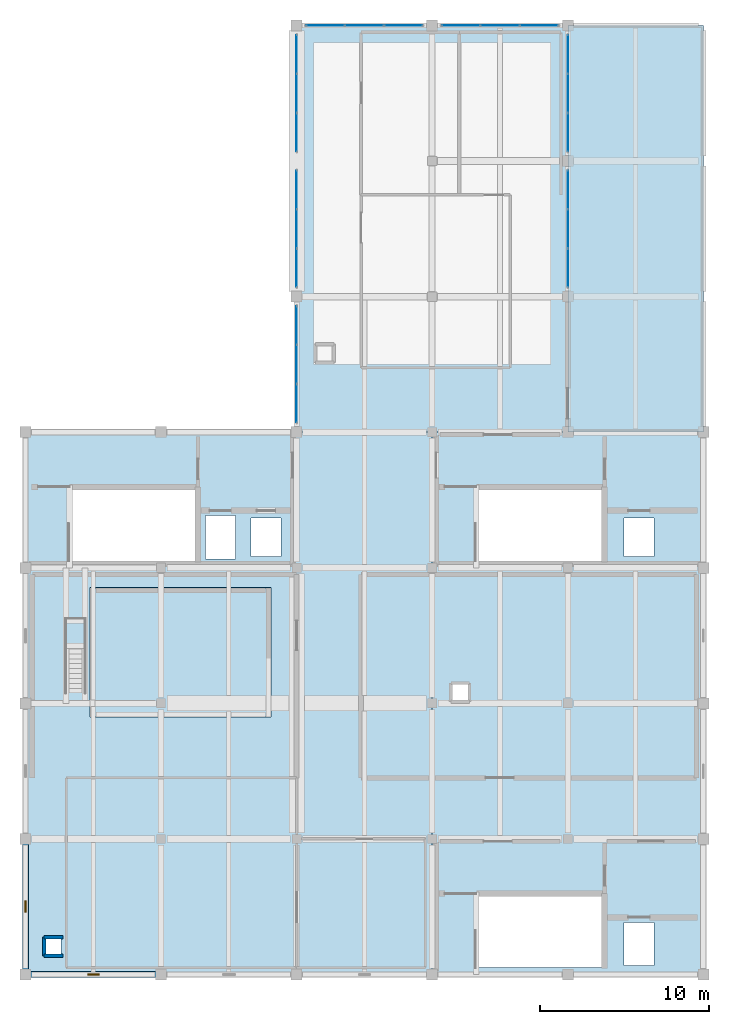
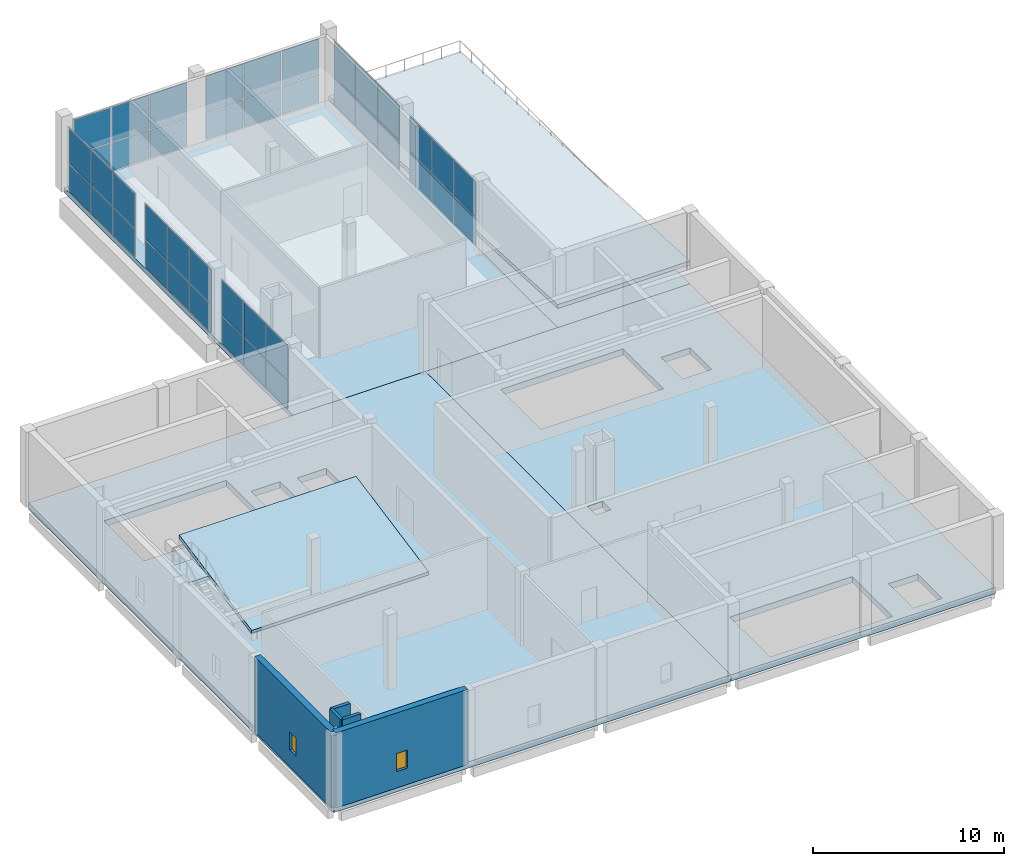
# One storey, part 4 of 8: 42 plates, 7 slabs, 5 walls, 2 windows, 2 openings, 9 elements without a shape of their own.
"""IFC4 building model written with IfcOpenShell, lengths in metres."""

from ifc_helpers import new_model, si_unit, direction, frame, frame_2d, origin, origin_2d, place, context, subcontext, project, spatial, polyline, rectangle, outline, extrude, material, layer, layer_set, type_object, element, fill, aggregate, save


model = new_model("IFC4")

# Units and contexts
model_context = context("Model", 3, precision=1e-05, world=origin(), true_north=direction((0.0, 1.0)))
body_context = subcontext(model_context, "Body", "Model", "MODEL_VIEW")
ifc_project = project(units=[si_unit("LENGTHUNIT", "METRE"), si_unit("AREAUNIT", "SQUARE_METRE"), si_unit("VOLUMEUNIT", "CUBIC_METRE"), si_unit("PLANEANGLEUNIT", "RADIAN"), si_unit("MASSUNIT", "GRAM", prefix="KILO")], contexts=[model_context])

# Site, building, storey
site_placement = place(None, origin())
site = spatial("IfcSite", under=ifc_project, at=site_placement, CompositionType="ELEMENT")
building_placement = place(site_placement, origin())
building = spatial("IfcBuilding", under=site, at=building_placement, Name="Qorikala Patio Media Centre", CompositionType="ELEMENT")
storey_placement = place(building_placement, frame((0.0, 0.0, 27.89990234375)))
storey = spatial("IfcBuildingStorey", under=building, at=storey_placement, Name="L06", CompositionType="ELEMENT", Elevation=27.89990234375)

# Curtain wall, plates
ifc_material_1 = material(Name="Bronze Anodised Aluminium and Low-E Glass", Category="aluminium")
ifc_layer_1 = layer(ifc_material_1, 0.159912109375)
ifc_layer_set_1 = layer_set([ifc_layer_1], Name="Bronze Anodised Aluminium and Low-E Glass")
curtain_wall_type = type_object("IfcCurtainWallType", Name="CW-PAV-696X419", PredefinedType="USERDEFINED", material=ifc_layer_set_1)
curtain_wall_1_placement = place(storey_placement, origin())
curtain_wall_1 = element("IfcCurtainWall", 1, at=curtain_wall_1_placement, inside=storey, type_object=curtain_wall_type, Name="L06 Courtyard Curtain Wall 100", ObjectType="COURTYARD CURTAIN WALL", PredefinedType="USERDEFINED")
ifc_material_2 = material(Name="Low-E Double Glazing Glass", Category="glass")
ifc_layer_2 = layer(ifc_material_2, 0.028076171875)
ifc_layer_set_2 = layer_set([ifc_layer_2], Name="Low-E Double Glazing Glass")
plate_type = type_object("IfcPlateType", Name="CWP-28", PredefinedType="CURTAIN_PANEL", material=ifc_layer_set_2)
plate_1_placement = place(storey_placement, frame((19.0, 36.695068359375, 0.06005859375), z_axis=(0.0, 0.0, 1.0), x_axis=(0.0, 1.0, 0.0)))
plate_1 = element("IfcPlate", 2, at=plate_1_placement, type_object=plate_type, Name="CWP696419 panel 1.1", PredefinedType="CURTAIN_PANEL", context=body_context, shape_type="SweptSolid", body=[
    extrude(rectangle(XDim=2.22998046875, YDim=0.028076171875, at=origin_2d()), origin(), (0.0, 0.0, 1.0), 1.79541015625),
])
plate_2_placement = place(storey_placement, frame((19.0, 36.695068359375, 1.91552734375), z_axis=(0.0, 0.0, 1.0), x_axis=(0.0, 1.0, 0.0)))
plate_2 = element("IfcPlate", 3, at=plate_2_placement, type_object=plate_type, Name="CWP696419 panel 1.2", PredefinedType="CURTAIN_PANEL", context=body_context, shape_type="SweptSolid", body=[
    extrude(rectangle(XDim=2.22998046875, YDim=0.028076171875, at=origin_2d()), origin(), (0.0, 0.0, 1.0), 2.214599609375),
])
plate_3_placement = place(storey_placement, frame((19.0, 39.0, 0.06005859375), z_axis=(0.0, 0.0, 1.0), x_axis=(0.0, 1.0, 0.0)))
plate_3 = element("IfcPlate", 4, at=plate_3_placement, type_object=plate_type, Name="CWP696419 panel 2.1", PredefinedType="CURTAIN_PANEL", context=body_context, shape_type="SweptSolid", body=[
    extrude(rectangle(XDim=2.260009765625, YDim=0.028076171875, at=origin_2d()), origin(), (0.0, 0.0, 1.0), 1.79541015625),
])
plate_4_placement = place(storey_placement, frame((19.0, 39.0, 1.91552734375), z_axis=(0.0, 0.0, 1.0), x_axis=(0.0, 1.0, 0.0)))
plate_4 = element("IfcPlate", 5, at=plate_4_placement, type_object=plate_type, Name="CWP696419 panel 2.2", PredefinedType="CURTAIN_PANEL", context=body_context, shape_type="SweptSolid", body=[
    extrude(rectangle(XDim=2.260009765625, YDim=0.028076171875, at=origin_2d()), origin(), (0.0, 0.0, 1.0), 2.214599609375),
])
plate_5_placement = place(storey_placement, frame((19.0, 41.304931640625, 0.06005859375), z_axis=(0.0, 0.0, 1.0), x_axis=(0.0, 1.0, 0.0)))
plate_5 = element("IfcPlate", 6, at=plate_5_placement, type_object=plate_type, Name="CWP696419 panel 3.1", PredefinedType="CURTAIN_PANEL", context=body_context, shape_type="SweptSolid", body=[
    extrude(rectangle(XDim=2.22998046875, YDim=0.028076171875, at=origin_2d()), origin(), (0.0, 0.0, 1.0), 1.79541015625),
])
plate_6_placement = place(storey_placement, frame((19.0, 41.304931640625, 1.91552734375), z_axis=(0.0, 0.0, 1.0), x_axis=(0.0, 1.0, 0.0)))
plate_6 = element("IfcPlate", 7, at=plate_6_placement, type_object=plate_type, Name="CWP696419 panel 3.2", PredefinedType="CURTAIN_PANEL", context=body_context, shape_type="SweptSolid", body=[
    extrude(rectangle(XDim=2.22998046875, YDim=0.028076171875, at=origin_2d()), origin(), (0.0, 0.0, 1.0), 2.214599609375),
])
aggregate(curtain_wall_1, [plate_1, plate_2, plate_3, plate_4, plate_5, plate_6])

curtain_wall_2_placement = place(storey_placement, origin())
curtain_wall_2 = element("IfcCurtainWall", 8, at=curtain_wall_2_placement, inside=storey, type_object=curtain_wall_type, Name="L06 Courtyard Curtain Wall 101", ObjectType="COURTYARD CURTAIN WALL", PredefinedType="USERDEFINED")
plate_7_placement = place(storey_placement, frame((19.0, 44.695068359375, 0.06005859375), z_axis=(0.0, 0.0, 1.0), x_axis=(0.0, 1.0, 0.0)))
plate_7 = element("IfcPlate", 9, at=plate_7_placement, type_object=plate_type, Name="CWP696419 panel 1.1", PredefinedType="CURTAIN_PANEL", context=body_context, shape_type="SweptSolid", body=[
    extrude(rectangle(XDim=2.22998046875, YDim=0.028076171875, at=origin_2d()), origin(), (0.0, 0.0, 1.0), 1.79541015625),
])
plate_8_placement = place(storey_placement, frame((19.0, 44.695068359375, 1.91552734375), z_axis=(0.0, 0.0, 1.0), x_axis=(0.0, 1.0, 0.0)))
plate_8 = element("IfcPlate", 10, at=plate_8_placement, type_object=plate_type, Name="CWP696419 panel 1.2", PredefinedType="CURTAIN_PANEL", context=body_context, shape_type="SweptSolid", body=[
    extrude(rectangle(XDim=2.22998046875, YDim=0.028076171875, at=origin_2d()), origin(), (0.0, 0.0, 1.0), 2.214599609375),
])
plate_9_placement = place(storey_placement, frame((19.0, 47.0, 0.06005859375), z_axis=(0.0, 0.0, 1.0), x_axis=(0.0, 1.0, 0.0)))
plate_9 = element("IfcPlate", 11, at=plate_9_placement, type_object=plate_type, Name="CWP696419 panel 2.1", PredefinedType="CURTAIN_PANEL", context=body_context, shape_type="SweptSolid", body=[
    extrude(rectangle(XDim=2.260009765625, YDim=0.028076171875, at=origin_2d()), origin(), (0.0, 0.0, 1.0), 1.79541015625),
])
plate_10_placement = place(storey_placement, frame((19.0, 47.0, 1.91552734375), z_axis=(0.0, 0.0, 1.0), x_axis=(0.0, 1.0, 0.0)))
plate_10 = element("IfcPlate", 12, at=plate_10_placement, type_object=plate_type, Name="CWP696419 panel 2.2", PredefinedType="CURTAIN_PANEL", context=body_context, shape_type="SweptSolid", body=[
    extrude(rectangle(XDim=2.260009765625, YDim=0.028076171875, at=origin_2d()), origin(), (0.0, 0.0, 1.0), 2.214599609375),
])
plate_11_placement = place(storey_placement, frame((19.0, 49.304931640625, 0.06005859375), z_axis=(0.0, 0.0, 1.0), x_axis=(0.0, 1.0, 0.0)))
plate_11 = element("IfcPlate", 13, at=plate_11_placement, type_object=plate_type, Name="CWP696419 panel 3.1", PredefinedType="CURTAIN_PANEL", context=body_context, shape_type="SweptSolid", body=[
    extrude(rectangle(XDim=2.22998046875, YDim=0.028076171875, at=origin_2d()), origin(), (0.0, 0.0, 1.0), 1.79541015625),
])
plate_12_placement = place(storey_placement, frame((19.0, 49.304931640625, 1.91552734375), z_axis=(0.0, 0.0, 1.0), x_axis=(0.0, 1.0, 0.0)))
plate_12 = element("IfcPlate", 14, at=plate_12_placement, type_object=plate_type, Name="CWP696419 panel 3.2", PredefinedType="CURTAIN_PANEL", context=body_context, shape_type="SweptSolid", body=[
    extrude(rectangle(XDim=2.22998046875, YDim=0.028076171875, at=origin_2d()), origin(), (0.0, 0.0, 1.0), 2.214599609375),
])
aggregate(curtain_wall_2, [plate_7, plate_8, plate_9, plate_10, plate_11, plate_12])

curtain_wall_3_placement = place(storey_placement, origin())
curtain_wall_3 = element("IfcCurtainWall", 15, at=curtain_wall_3_placement, inside=storey, type_object=curtain_wall_type, Name="L06 Courtyard Curtain Wall 102", ObjectType="COURTYARD CURTAIN WALL", PredefinedType="USERDEFINED")
plate_13_placement = place(storey_placement, frame((19.0, 52.695068359375, 0.06005859375), z_axis=(0.0, 0.0, 1.0), x_axis=(0.0, 1.0, 0.0)))
plate_13 = element("IfcPlate", 16, at=plate_13_placement, type_object=plate_type, Name="CWP696419 panel 1.1", PredefinedType="CURTAIN_PANEL", context=body_context, shape_type="SweptSolid", body=[
    extrude(rectangle(XDim=2.22998046875, YDim=0.028076171875, at=origin_2d()), origin(), (0.0, 0.0, 1.0), 1.79541015625),
])
plate_14_placement = place(storey_placement, frame((19.0, 52.695068359375, 1.91552734375), z_axis=(0.0, 0.0, 1.0), x_axis=(0.0, 1.0, 0.0)))
plate_14 = element("IfcPlate", 17, at=plate_14_placement, type_object=plate_type, Name="CWP696419 panel 1.2", PredefinedType="CURTAIN_PANEL", context=body_context, shape_type="SweptSolid", body=[
    extrude(rectangle(XDim=2.22998046875, YDim=0.028076171875, at=origin_2d()), origin(), (0.0, 0.0, 1.0), 2.214599609375),
])
plate_15_placement = place(storey_placement, frame((19.0, 55.0, 0.06005859375), z_axis=(0.0, 0.0, 1.0), x_axis=(0.0, 1.0, 0.0)))
plate_15 = element("IfcPlate", 18, at=plate_15_placement, type_object=plate_type, Name="CWP696419 panel 2.1", PredefinedType="CURTAIN_PANEL", context=body_context, shape_type="SweptSolid", body=[
    extrude(rectangle(XDim=2.260009765625, YDim=0.028076171875, at=origin_2d()), origin(), (0.0, 0.0, 1.0), 1.79541015625),
])
plate_16_placement = place(storey_placement, frame((19.0, 55.0, 1.91552734375), z_axis=(0.0, 0.0, 1.0), x_axis=(0.0, 1.0, 0.0)))
plate_16 = element("IfcPlate", 19, at=plate_16_placement, type_object=plate_type, Name="CWP696419 panel 2.2", PredefinedType="CURTAIN_PANEL", context=body_context, shape_type="SweptSolid", body=[
    extrude(rectangle(XDim=2.260009765625, YDim=0.028076171875, at=origin_2d()), origin(), (0.0, 0.0, 1.0), 2.214599609375),
])
plate_17_placement = place(storey_placement, frame((19.0, 57.304931640625, 0.06005859375), z_axis=(0.0, 0.0, 1.0), x_axis=(0.0, 1.0, 0.0)))
plate_17 = element("IfcPlate", 20, at=plate_17_placement, type_object=plate_type, Name="CWP696419 panel 3.1", PredefinedType="CURTAIN_PANEL", context=body_context, shape_type="SweptSolid", body=[
    extrude(rectangle(XDim=2.22998046875, YDim=0.028076171875, at=origin_2d()), origin(), (0.0, 0.0, 1.0), 1.79541015625),
])
plate_18_placement = place(storey_placement, frame((19.0, 57.304931640625, 1.91552734375), z_axis=(0.0, 0.0, 1.0), x_axis=(0.0, 1.0, 0.0)))
plate_18 = element("IfcPlate", 21, at=plate_18_placement, type_object=plate_type, Name="CWP696419 panel 3.2", PredefinedType="CURTAIN_PANEL", context=body_context, shape_type="SweptSolid", body=[
    extrude(rectangle(XDim=2.22998046875, YDim=0.028076171875, at=origin_2d()), origin(), (0.0, 0.0, 1.0), 2.214599609375),
])
aggregate(curtain_wall_3, [plate_13, plate_14, plate_15, plate_16, plate_17, plate_18])

curtain_wall_4_placement = place(storey_placement, origin())
curtain_wall_4 = element("IfcCurtainWall", 22, at=curtain_wall_4_placement, inside=storey, type_object=curtain_wall_type, Name="L06 Courtyard Curtain Wall 103", ObjectType="COURTYARD CURTAIN WALL", PredefinedType="USERDEFINED")
plate_19_placement = place(storey_placement, frame((20.695068359375, 59.0, 0.06005859375), z_axis=(0.0, 0.0, 1.0), x_axis=(1.0, 0.0, 0.0)))
plate_19 = element("IfcPlate", 23, at=plate_19_placement, type_object=plate_type, Name="CWP696419 panel 1.1", PredefinedType="CURTAIN_PANEL", context=body_context, shape_type="SweptSolid", body=[
    extrude(rectangle(XDim=2.22998046875, YDim=0.028076171875, at=origin_2d()), origin(), (0.0, 0.0, 1.0), 1.79541015625),
])
plate_20_placement = place(storey_placement, frame((20.695068359375, 59.0, 1.91552734375), z_axis=(0.0, 0.0, 1.0), x_axis=(1.0, 0.0, 0.0)))
plate_20 = element("IfcPlate", 24, at=plate_20_placement, type_object=plate_type, Name="CWP696419 panel 1.2", PredefinedType="CURTAIN_PANEL", context=body_context, shape_type="SweptSolid", body=[
    extrude(rectangle(XDim=2.22998046875, YDim=0.028076171875, at=origin_2d()), origin(), (0.0, 0.0, 1.0), 2.214599609375),
])
plate_21_placement = place(storey_placement, frame((23.0, 59.0, 0.06005859375), z_axis=(0.0, 0.0, 1.0), x_axis=(1.0, 0.0, 0.0)))
plate_21 = element("IfcPlate", 25, at=plate_21_placement, type_object=plate_type, Name="CWP696419 panel 2.1", PredefinedType="CURTAIN_PANEL", context=body_context, shape_type="SweptSolid", body=[
    extrude(rectangle(XDim=2.260009765625, YDim=0.028076171875, at=origin_2d()), origin(), (0.0, 0.0, 1.0), 1.79541015625),
])
plate_22_placement = place(storey_placement, frame((23.0, 59.0, 1.91552734375), z_axis=(0.0, 0.0, 1.0), x_axis=(1.0, 0.0, 0.0)))
plate_22 = element("IfcPlate", 26, at=plate_22_placement, type_object=plate_type, Name="CWP696419 panel 2.2", PredefinedType="CURTAIN_PANEL", context=body_context, shape_type="SweptSolid", body=[
    extrude(rectangle(XDim=2.260009765625, YDim=0.028076171875, at=origin_2d()), origin(), (0.0, 0.0, 1.0), 2.214599609375),
])
plate_23_placement = place(storey_placement, frame((25.304931640625, 59.0, 0.06005859375), z_axis=(0.0, 0.0, 1.0), x_axis=(1.0, 0.0, 0.0)))
plate_23 = element("IfcPlate", 27, at=plate_23_placement, type_object=plate_type, Name="CWP696419 panel 3.1", PredefinedType="CURTAIN_PANEL", context=body_context, shape_type="SweptSolid", body=[
    extrude(rectangle(XDim=2.22998046875, YDim=0.028076171875, at=origin_2d()), origin(), (0.0, 0.0, 1.0), 1.79541015625),
])
plate_24_placement = place(storey_placement, frame((25.304931640625, 59.0, 1.91552734375), z_axis=(0.0, 0.0, 1.0), x_axis=(1.0, 0.0, 0.0)))
plate_24 = element("IfcPlate", 28, at=plate_24_placement, type_object=plate_type, Name="CWP696419 panel 3.2", PredefinedType="CURTAIN_PANEL", context=body_context, shape_type="SweptSolid", body=[
    extrude(rectangle(XDim=2.22998046875, YDim=0.028076171875, at=origin_2d()), origin(), (0.0, 0.0, 1.0), 2.214599609375),
])
aggregate(curtain_wall_4, [plate_19, plate_20, plate_21, plate_22, plate_23, plate_24])

curtain_wall_5_placement = place(storey_placement, origin())
curtain_wall_5 = element("IfcCurtainWall", 29, at=curtain_wall_5_placement, inside=storey, type_object=curtain_wall_type, Name="L06 Courtyard Curtain Wall 104", ObjectType="COURTYARD CURTAIN WALL", PredefinedType="USERDEFINED")
plate_25_placement = place(storey_placement, frame((28.695068359375, 59.0, 0.06005859375), z_axis=(0.0, 0.0, 1.0), x_axis=(1.0, 0.0, 0.0)))
plate_25 = element("IfcPlate", 30, at=plate_25_placement, type_object=plate_type, Name="CWP696419 panel 1.1", PredefinedType="CURTAIN_PANEL", context=body_context, shape_type="SweptSolid", body=[
    extrude(rectangle(XDim=2.22998046875, YDim=0.028076171875, at=origin_2d()), origin(), (0.0, 0.0, 1.0), 1.79541015625),
])
plate_26_placement = place(storey_placement, frame((28.695068359375, 59.0, 1.91552734375), z_axis=(0.0, 0.0, 1.0), x_axis=(1.0, 0.0, 0.0)))
plate_26 = element("IfcPlate", 31, at=plate_26_placement, type_object=plate_type, Name="CWP696419 panel 1.2", PredefinedType="CURTAIN_PANEL", context=body_context, shape_type="SweptSolid", body=[
    extrude(rectangle(XDim=2.22998046875, YDim=0.028076171875, at=origin_2d()), origin(), (0.0, 0.0, 1.0), 2.214599609375),
])
plate_27_placement = place(storey_placement, frame((31.0, 59.0, 0.06005859375), z_axis=(0.0, 0.0, 1.0), x_axis=(1.0, 0.0, 0.0)))
plate_27 = element("IfcPlate", 32, at=plate_27_placement, type_object=plate_type, Name="CWP696419 panel 2.1", PredefinedType="CURTAIN_PANEL", context=body_context, shape_type="SweptSolid", body=[
    extrude(rectangle(XDim=2.260009765625, YDim=0.028076171875, at=origin_2d()), origin(), (0.0, 0.0, 1.0), 1.79541015625),
])
plate_28_placement = place(storey_placement, frame((31.0, 59.0, 1.91552734375), z_axis=(0.0, 0.0, 1.0), x_axis=(1.0, 0.0, 0.0)))
plate_28 = element("IfcPlate", 33, at=plate_28_placement, type_object=plate_type, Name="CWP696419 panel 2.2", PredefinedType="CURTAIN_PANEL", context=body_context, shape_type="SweptSolid", body=[
    extrude(rectangle(XDim=2.260009765625, YDim=0.028076171875, at=origin_2d()), origin(), (0.0, 0.0, 1.0), 2.214599609375),
])
plate_29_placement = place(storey_placement, frame((33.304931640625, 59.0, 0.06005859375), z_axis=(0.0, 0.0, 1.0), x_axis=(1.0, 0.0, 0.0)))
plate_29 = element("IfcPlate", 34, at=plate_29_placement, type_object=plate_type, Name="CWP696419 panel 3.1", PredefinedType="CURTAIN_PANEL", context=body_context, shape_type="SweptSolid", body=[
    extrude(rectangle(XDim=2.22998046875, YDim=0.028076171875, at=origin_2d()), origin(), (0.0, 0.0, 1.0), 1.79541015625),
])
plate_30_placement = place(storey_placement, frame((33.304931640625, 59.0, 1.91552734375), z_axis=(0.0, 0.0, 1.0), x_axis=(1.0, 0.0, 0.0)))
plate_30 = element("IfcPlate", 35, at=plate_30_placement, type_object=plate_type, Name="CWP696419 panel 3.2", PredefinedType="CURTAIN_PANEL", context=body_context, shape_type="SweptSolid", body=[
    extrude(rectangle(XDim=2.22998046875, YDim=0.028076171875, at=origin_2d()), origin(), (0.0, 0.0, 1.0), 2.214599609375),
])
aggregate(curtain_wall_5, [plate_25, plate_26, plate_27, plate_28, plate_29, plate_30])

curtain_wall_6_placement = place(storey_placement, origin())
curtain_wall_6 = element("IfcCurtainWall", 36, at=curtain_wall_6_placement, inside=storey, type_object=curtain_wall_type, Name="L06 Courtyard Curtain Wall 105", ObjectType="COURTYARD CURTAIN WALL", PredefinedType="USERDEFINED")
plate_31_placement = place(storey_placement, frame((35.0, 57.304931640625, 0.06005859375), z_axis=(0.0, 0.0, 1.0), x_axis=(0.0, -1.0, 0.0)))
plate_31 = element("IfcPlate", 37, at=plate_31_placement, type_object=plate_type, Name="CWP696419 panel 1.1", PredefinedType="CURTAIN_PANEL", context=body_context, shape_type="SweptSolid", body=[
    extrude(rectangle(XDim=2.22998046875, YDim=0.028076171875, at=origin_2d()), origin(), (0.0, 0.0, 1.0), 1.79541015625),
])
plate_32_placement = place(storey_placement, frame((35.0, 57.304931640625, 1.91552734375), z_axis=(0.0, 0.0, 1.0), x_axis=(0.0, -1.0, 0.0)))
plate_32 = element("IfcPlate", 38, at=plate_32_placement, type_object=plate_type, Name="CWP696419 panel 1.2", PredefinedType="CURTAIN_PANEL", context=body_context, shape_type="SweptSolid", body=[
    extrude(rectangle(XDim=2.22998046875, YDim=0.028076171875, at=origin_2d()), origin(), (0.0, 0.0, 1.0), 2.214599609375),
])
plate_33_placement = place(storey_placement, frame((35.0, 55.0, 0.06005859375), z_axis=(0.0, 0.0, 1.0), x_axis=(0.0, -1.0, 0.0)))
plate_33 = element("IfcPlate", 39, at=plate_33_placement, type_object=plate_type, Name="CWP696419 panel 2.1", PredefinedType="CURTAIN_PANEL", context=body_context, shape_type="SweptSolid", body=[
    extrude(rectangle(XDim=2.260009765625, YDim=0.028076171875, at=origin_2d()), origin(), (0.0, 0.0, 1.0), 1.79541015625),
])
plate_34_placement = place(storey_placement, frame((35.0, 55.0, 1.91552734375), z_axis=(0.0, 0.0, 1.0), x_axis=(0.0, -1.0, 0.0)))
plate_34 = element("IfcPlate", 40, at=plate_34_placement, type_object=plate_type, Name="CWP696419 panel 2.2", PredefinedType="CURTAIN_PANEL", context=body_context, shape_type="SweptSolid", body=[
    extrude(rectangle(XDim=2.260009765625, YDim=0.028076171875, at=origin_2d()), origin(), (0.0, 0.0, 1.0), 2.214599609375),
])
plate_35_placement = place(storey_placement, frame((35.0, 52.695068359375, 0.06005859375), z_axis=(0.0, 0.0, 1.0), x_axis=(0.0, -1.0, 0.0)))
plate_35 = element("IfcPlate", 41, at=plate_35_placement, type_object=plate_type, Name="CWP696419 panel 3.1", PredefinedType="CURTAIN_PANEL", context=body_context, shape_type="SweptSolid", body=[
    extrude(rectangle(XDim=2.22998046875, YDim=0.028076171875, at=origin_2d()), origin(), (0.0, 0.0, 1.0), 1.79541015625),
])
plate_36_placement = place(storey_placement, frame((35.0, 52.695068359375, 1.91552734375), z_axis=(0.0, 0.0, 1.0), x_axis=(0.0, -1.0, 0.0)))
plate_36 = element("IfcPlate", 42, at=plate_36_placement, type_object=plate_type, Name="CWP696419 panel 3.2", PredefinedType="CURTAIN_PANEL", context=body_context, shape_type="SweptSolid", body=[
    extrude(rectangle(XDim=2.22998046875, YDim=0.028076171875, at=origin_2d()), origin(), (0.0, 0.0, 1.0), 2.214599609375),
])
aggregate(curtain_wall_6, [plate_31, plate_32, plate_33, plate_34, plate_35, plate_36])

curtain_wall_7_placement = place(storey_placement, origin())
curtain_wall_7 = element("IfcCurtainWall", 43, at=curtain_wall_7_placement, inside=storey, type_object=curtain_wall_type, Name="L06 Courtyard Curtain Wall 106", ObjectType="COURTYARD CURTAIN WALL", PredefinedType="USERDEFINED")
plate_37_placement = place(storey_placement, frame((35.0, 49.304931640625, 0.06005859375), z_axis=(0.0, 0.0, 1.0), x_axis=(0.0, -1.0, 0.0)))
plate_37 = element("IfcPlate", 44, at=plate_37_placement, type_object=plate_type, Name="CWP696419 panel 1.1", PredefinedType="CURTAIN_PANEL", context=body_context, shape_type="SweptSolid", body=[
    extrude(rectangle(XDim=2.22998046875, YDim=0.028076171875, at=origin_2d()), origin(), (0.0, 0.0, 1.0), 1.79541015625),
])
plate_38_placement = place(storey_placement, frame((35.0, 49.304931640625, 1.91552734375), z_axis=(0.0, 0.0, 1.0), x_axis=(0.0, -1.0, 0.0)))
plate_38 = element("IfcPlate", 45, at=plate_38_placement, type_object=plate_type, Name="CWP696419 panel 1.2", PredefinedType="CURTAIN_PANEL", context=body_context, shape_type="SweptSolid", body=[
    extrude(rectangle(XDim=2.22998046875, YDim=0.028076171875, at=origin_2d()), origin(), (0.0, 0.0, 1.0), 2.214599609375),
])
plate_39_placement = place(storey_placement, frame((35.0, 47.0, 0.06005859375), z_axis=(0.0, 0.0, 1.0), x_axis=(0.0, -1.0, 0.0)))
plate_39 = element("IfcPlate", 46, at=plate_39_placement, type_object=plate_type, Name="CWP696419 panel 2.1", PredefinedType="CURTAIN_PANEL", context=body_context, shape_type="SweptSolid", body=[
    extrude(rectangle(XDim=2.260009765625, YDim=0.028076171875, at=origin_2d()), origin(), (0.0, 0.0, 1.0), 1.79541015625),
])
plate_40_placement = place(storey_placement, frame((35.0, 47.0, 1.91552734375), z_axis=(0.0, 0.0, 1.0), x_axis=(0.0, -1.0, 0.0)))
plate_40 = element("IfcPlate", 47, at=plate_40_placement, type_object=plate_type, Name="CWP696419 panel 2.2", PredefinedType="CURTAIN_PANEL", context=body_context, shape_type="SweptSolid", body=[
    extrude(rectangle(XDim=2.260009765625, YDim=0.028076171875, at=origin_2d()), origin(), (0.0, 0.0, 1.0), 2.214599609375),
])
plate_41_placement = place(storey_placement, frame((35.0, 44.695068359375, 0.06005859375), z_axis=(0.0, 0.0, 1.0), x_axis=(0.0, -1.0, 0.0)))
plate_41 = element("IfcPlate", 48, at=plate_41_placement, type_object=plate_type, Name="CWP696419 panel 3.1", PredefinedType="CURTAIN_PANEL", context=body_context, shape_type="SweptSolid", body=[
    extrude(rectangle(XDim=2.22998046875, YDim=0.028076171875, at=origin_2d()), origin(), (0.0, 0.0, 1.0), 1.79541015625),
])
plate_42_placement = place(storey_placement, frame((35.0, 44.695068359375, 1.91552734375), z_axis=(0.0, 0.0, 1.0), x_axis=(0.0, -1.0, 0.0)))
plate_42 = element("IfcPlate", 49, at=plate_42_placement, type_object=plate_type, Name="CWP696419 panel 3.2", PredefinedType="CURTAIN_PANEL", context=body_context, shape_type="SweptSolid", body=[
    extrude(rectangle(XDim=2.22998046875, YDim=0.028076171875, at=origin_2d()), origin(), (0.0, 0.0, 1.0), 2.214599609375),
])
aggregate(curtain_wall_7, [plate_37, plate_38, plate_39, plate_40, plate_41, plate_42])

# Slab
ifc_material_3 = material(Name="Concrete C35/45", Category="concrete")
ifc_layer_3 = layer(ifc_material_3, 0.300048828125)
ifc_layer_set_3 = layer_set([ifc_layer_3], Name="Concrete C35/45")
slab_type_1 = type_object("IfcSlabType", Name="SL-FLOOR-300", PredefinedType="FLOOR", material=ifc_layer_set_3)
slab_1_placement = place(storey_placement, frame((0.0, 0.0, -0.2998046875)))
element("IfcSlab", 50, at=slab_1_placement, inside=storey, type_object=slab_type_1, Name="L06 V6_LOUNGE Slab 3.1", PredefinedType="FLOOR", context=body_context, shape_type="SweptSolid", body=[
    extrude(outline(polyline([(35.0, 59.0), (35.0, 35.0), (27.0, 35.0), (19.0, 35.0), (19.0, 59.0), (35.0, 59.0)]), holes=[polyline([(21.10009765625, 39.199951171875), (21.10009765625, 40.10009765625), (20.199951171875, 40.10009765625), (20.199951171875, 39.199951171875), (21.10009765625, 39.199951171875)])]), origin(), (0.0, 0.0, 1.0), 0.2998046875),
])

# Stair, slab
stair_type = type_object("IfcStairType", Name="ST-VOM-STR", PredefinedType="STRAIGHT_RUN_STAIR", material=ifc_material_3)
stair_placement = place(storey_placement, origin())
stair = element("IfcStair", 51, at=stair_placement, inside=storey, type_object=stair_type, Name="Vomitory Stair VS-08", PredefinedType="STRAIGHT_RUN_STAIR")
ifc_material_4 = material(Name="Precast concrete C40/50", Category="concrete")
ifc_layer_4 = layer(ifc_material_4, 0.199951171875)
ifc_layer_set_4 = layer_set([ifc_layer_4], Name="Precast concrete C40/50")
slab_type_2 = type_object("IfcSlabType", Name="SL-LAND-200", PredefinedType="LANDING", material=ifc_layer_set_4)
slab_2_placement = place(storey_placement, frame((0.0, 0.0, 1.60009765625)))
slab_2 = element("IfcSlab", 52, at=slab_2_placement, type_object=slab_type_2, Name="VS-08 landing 1", PredefinedType="LANDING", context=body_context, shape_type="SweptSolid", body=[
    extrude(outline(polyline([(5.324951171875, 22.25), (6.574951171875, 22.25), (6.574951171875, 24.050048828125), (5.324951171875, 24.050048828125), (5.324951171875, 22.25)])), origin(), (0.0, 0.0, 1.0), 0.199951171875),
])
aggregate(stair, [slab_2])

# Roof, slab
ifc_material_5 = material(Name="Terracotta Clay Tile and Steel S355", Category="masonry")
roof_type = type_object("IfcRoofType", Name="ROOF-GABLE", PredefinedType="GABLE_ROOF", material=ifc_material_5)
roof_placement = place(storey_placement, origin())
roof = element("IfcRoof", 53, at=roof_placement, inside=storey, type_object=roof_type, Name="L06 Colonial Clay-Tile Loggia Roof RF-LOG-V6E", PredefinedType="GABLE_ROOF")
ifc_layer_5 = layer(ifc_material_3, 0.260009765625)
ifc_layer_set_5 = layer_set([ifc_layer_5], Name="Concrete C35/45")
slab_type_3 = type_object("IfcSlabType", Name="SL-ROOF-180", PredefinedType="ROOF", material=ifc_layer_set_5)
slab_3_placement = place(storey_placement, frame((35.0, 59.0, 0.260009765625), z_axis=(0.0, 0.049945724537, 0.998751933465), x_axis=(1.0, 0.0, 0.0)))
slab_3 = element("IfcSlab", 54, at=slab_3_placement, type_object=slab_type_3, Name="L06 Colonial Loggia Roof Slab RF-LOG-V6E", PredefinedType="ROOF", context=body_context, shape_type="SweptSolid", body=[
    extrude(outline(polyline([(0.0, 0.0), (8.0, 0.0), (8.0, -24.02999102763351), (0.0, -24.02999102763351), (0.0, 0.0)])), origin(), (0.0, 0.0, -1.0), 0.239990234375),
])
aggregate(roof, [slab_3])

# Slabs
ifc_material_6 = material(Name="Comanche Stone Paving and Concrete C35/45", Category="masonry")
ifc_layer_6 = layer(ifc_material_6, 0.25)
ifc_layer_set_6 = layer_set([ifc_layer_6], Name="Comanche Stone Paving and Concrete C35/45")
slab_type_4 = type_object("IfcSlabType", Name="SL-TERR-260", PredefinedType="FLOOR", material=ifc_layer_set_6)
slab_4_placement = place(storey_placement, frame((0.0, 0.0, -0.25)))
element("IfcSlab", 55, at=slab_4_placement, inside=storey, type_object=slab_type_4, Name="L06 Festival Viewing Terrace Slab", PredefinedType="FLOOR", context=body_context, shape_type="SweptSolid", body=[
    extrude(outline(polyline([(35.0, 35.0), (43.0, 35.0), (43.0, 59.0), (35.0, 59.0), (35.0, 35.0)])), origin(), (0.0, 0.0, 1.0), 0.25),
])
ifc_layer_7 = layer(ifc_material_3, 0.239990234375)
ifc_layer_set_7 = layer_set([ifc_layer_7], Name="Concrete C35/45")
slab_type_5 = type_object("IfcSlabType", Name="SL-TIER-240", PredefinedType="USERDEFINED", material=ifc_layer_set_7)
slab_5_placement = place(storey_placement, frame((6.800048828125, 18.199951171875, 0.7001953125), z_axis=(0.0, -0.193630637125, 0.981074500926), x_axis=(1.0, 0.0, 0.0)))
element("IfcSlab", 56, at=slab_5_placement, inside=storey, type_object=slab_type_5, Name="Premiere Cinema Screen 7 Balcony Seating Tier", ObjectType="SEATING TIER", PredefinedType="USERDEFINED", context=body_context, shape_type="SweptSolid", body=[
    extrude(outline(polyline([(0.0, 0.0), (10.699951171875, 0.0), (10.699951171875, 7.746707970779378), (0.0, 7.746707970779378), (0.0, 0.0)])), origin(), (0.0, 0.0, -1.0), 0.239990234375),
])
ifc_layer_8 = layer(ifc_material_3, 0.39990234375)
ifc_layer_set_8 = layer_set([ifc_layer_8], Name="Concrete C35/45")
slab_type_6 = type_object("IfcSlabType", Name="SL-TRANS-400", PredefinedType="FLOOR", material=ifc_layer_set_8)
slab_6_placement = place(storey_placement, frame((0.0, 0.0, -0.39990234375)))
element("IfcSlab", 57, at=slab_6_placement, inside=storey, type_object=slab_type_6, Name="L06 V1A Transfer Slab 1.1", PredefinedType="FLOOR", context=body_context, shape_type="SweptSolid", body=[
    extrude(outline(polyline([(3.0, 35.0), (27.0, 35.0), (27.0, 3.0), (3.0, 3.0), (3.0, 35.0)]), holes=[polyline([(5.10009765625, 5.10009765625), (4.199951171875, 5.10009765625), (4.199951171875, 4.199951171875), (5.10009765625, 4.199951171875), (5.10009765625, 5.10009765625)]), polyline([(15.3798828125, 27.52001953125), (15.3798828125, 30.080078125), (13.6201171875, 30.080078125), (13.6201171875, 27.52001953125), (15.3798828125, 27.52001953125)]), polyline([(18.080078125, 29.929931640625), (16.320068359375, 29.929931640625), (16.320068359375, 27.669921875), (18.080078125, 27.669921875), (18.080078125, 29.929931640625)]), polyline([(13.0, 31.60009765625), (5.60009765625, 31.60009765625), (5.60009765625, 27.39990234375), (13.0, 27.39990234375), (13.0, 31.60009765625)])]), origin(), (0.0, 0.0, 1.0), 0.39990234375),
])
slab_7_placement = place(storey_placement, frame((0.0, 0.0, -0.39990234375)))
element("IfcSlab", 58, at=slab_7_placement, inside=storey, type_object=slab_type_6, Name="L06 V1B Transfer Slab 2.1", PredefinedType="FLOOR", context=body_context, shape_type="SweptSolid", body=[
    extrude(outline(polyline([(43.0, 3.0), (27.0, 3.0), (27.0, 35.0), (43.0, 35.0), (43.0, 3.0)]), holes=[polyline([(40.080078125, 6.080078125), (38.320068359375, 6.080078125), (38.320068359375, 3.52001953125), (40.080078125, 3.52001953125), (40.080078125, 6.080078125)]), polyline([(37.0, 7.60009765625), (29.60009765625, 7.60009765625), (29.60009765625, 3.39990234375), (37.0, 3.39990234375), (37.0, 7.60009765625)]), polyline([(29.10009765625, 19.199951171875), (29.10009765625, 20.10009765625), (28.199951171875, 20.10009765625), (28.199951171875, 19.199951171875), (29.10009765625, 19.199951171875)]), polyline([(40.080078125, 29.929931640625), (38.320068359375, 29.929931640625), (38.320068359375, 27.669921875), (40.080078125, 27.669921875), (40.080078125, 29.929931640625)]), polyline([(37.0, 27.39990234375), (37.0, 31.60009765625), (29.60009765625, 31.60009765625), (29.60009765625, 27.39990234375), (37.0, 27.39990234375)])]), origin(), (0.0, 0.0, 1.0), 0.39990234375),
])

# Walls
ifc_material_7 = material(Name="Acoustic Masonry and Plaster Concrete C30/37", Category="masonry")
ifc_layer_9 = layer(ifc_material_7, 0.199951171875)
ifc_layer_set_9 = layer_set([ifc_layer_9], Name="Acoustic Masonry and Plaster Concrete C30/37")
wall_type_1 = type_object("IfcWallType", Name="WL-ST-200", PredefinedType="PARTITIONING", material=ifc_layer_set_9)
for number, where, z_axis, x_axis, name in (
    (59, (4.10009765625, 4.10009765625, 0.0), (0.0, 0.0, 1.0), (1.0, 0.0, 0.0), "L06 Interior Wall RSW-1-L06-S"),
    (60, (4.10009765625, 5.199951171875, 0.0), (0.0, 0.0, 1.0), (1.0, 0.0, 0.0), "L06 Interior Wall RSW-1-L06-N"),
    (61, (4.10009765625, 4.10009765625, 0.0), (0.0, 0.0, 1.0), (0.0, 1.0, 0.0), "L06 Interior Wall RSW-1-L06-W"),
):
    element("IfcWall", number, at=place(storey_placement, frame(where, z_axis=z_axis, x_axis=x_axis)), inside=storey, type_object=wall_type_1, Name=name, PredefinedType="PARTITIONING", context=body_context, shape_type="SweptSolid", body=[
        extrude(rectangle(XDim=1.099853515625, YDim=0.199951171875, at=frame_2d((0.5498046875, 0.0))), origin(), (0.0, 0.0, 1.0), 4.5400390625),
    ])

# Wall, opening, window
ifc_material_8 = material(Name="Comanche Granite and Concrete C35/45", Category="masonry")
ifc_layer_10 = layer(ifc_material_8, 0.3798828125)
ifc_layer_set_10 = layer_set([ifc_layer_10], Name="Comanche Granite and Concrete C35/45")
wall_type_2 = type_object("IfcWallType", Name="WL-STONE-380", PredefinedType="SOLIDWALL", material=ifc_layer_set_10)
wall_1_placement = place(storey_placement, frame((3.0, 3.0, 0.0), z_axis=(0.0, 0.0, 1.0), x_axis=(0.0, 1.0, 0.0)))
wall_1 = element("IfcWall", 62, at=wall_1_placement, inside=storey, type_object=wall_type_2, Name="L06 Exterior Wall WL-L06-EXT-0005", PredefinedType="SOLIDWALL", context=body_context, shape_type="SweptSolid", body=[
    extrude(rectangle(XDim=8.0, YDim=0.3798828125, at=frame_2d((4.0, 0.0))), origin(), (0.0, 0.0, 1.0), 4.800048828125),
])
opening_1_placement = place(wall_1_placement, frame((3.659912109375, 0.0, 1.050048828125)))
opening_1 = element("IfcOpeningElement", 63, at=opening_1_placement, cuts=wall_1, Name="Opening WG-068", PredefinedType="OPENING", context=body_context, shape_type="SweptSolid", body=[
    extrude(rectangle(XDim=0.679931640625, YDim=1.14990234375, at=frame_2d((0.33984375, 0.574951171875))), frame((0.0, 0.199951171875, 0.0), z_axis=(0.0, -1.0, 0.0), x_axis=(1.0, 0.0, 0.0)), (0.0, 0.0, 1.0), 0.39990234375),
])
window_type = type_object("IfcWindowType", Name="WN-GRAD-068X115", PartitioningType="SINGLE_PANEL", PredefinedType="WINDOW", material=ifc_material_1)
window_1_placement = place(opening_1_placement, origin())
window_1 = element("IfcWindow", 64, at=window_1_placement, inside=storey, type_object=window_type, Name="L06 Graduated Stone Window 0249", OverallHeight=1.14990234375, OverallWidth=0.679931640625, PartitioningType="SINGLE_PANEL", PredefinedType="WINDOW", context=body_context, shape_type="SweptSolid", body=[
    extrude(rectangle(XDim=0.679931640625, YDim=1.14990234375, at=frame_2d((0.33984375, 0.574951171875))), frame((0.0, 0.030029296875, 0.0), z_axis=(0.0, -1.0, 0.0), x_axis=(1.0, 0.0, 0.0)), (0.0, 0.0, 1.0), 0.06005859375),
])
fill(opening_1, window_1)

wall_2_placement = place(storey_placement, frame((11.0, 3.0, 0.0), z_axis=(0.0, 0.0, 1.0), x_axis=(-1.0, 0.0, 0.0)))
wall_2 = element("IfcWall", 65, at=wall_2_placement, inside=storey, type_object=wall_type_2, Name="L06 Exterior Wall WL-L06-EXT-0021", PredefinedType="SOLIDWALL", context=body_context, shape_type="SweptSolid", body=[
    extrude(rectangle(XDim=8.0, YDim=0.3798828125, at=frame_2d((4.0, 0.0))), origin(), (0.0, 0.0, 1.0), 4.800048828125),
])
opening_2_placement = place(wall_2_placement, frame((3.659912109375, 0.0, 1.050048828125)))
opening_2 = element("IfcOpeningElement", 66, at=opening_2_placement, cuts=wall_2, Name="Opening WG-068", PredefinedType="OPENING", context=body_context, shape_type="SweptSolid", body=[
    extrude(rectangle(XDim=0.679931640625, YDim=1.14990234375, at=frame_2d((0.33984375, 0.574951171875))), frame((0.0, 0.199951171875, 0.0), z_axis=(0.0, -1.0, 0.0), x_axis=(1.0, 0.0, 0.0)), (0.0, 0.0, 1.0), 0.39990234375),
])
window_2_placement = place(opening_2_placement, origin())
window_2 = element("IfcWindow", 67, at=window_2_placement, inside=storey, type_object=window_type, Name="L06 Graduated Stone Window 0256", OverallHeight=1.14990234375, OverallWidth=0.679931640625, PartitioningType="SINGLE_PANEL", PredefinedType="WINDOW", context=body_context, shape_type="SweptSolid", body=[
    extrude(rectangle(XDim=0.679931640625, YDim=1.14990234375, at=frame_2d((0.33984375, 0.574951171875))), frame((0.0, 0.030029296875, 0.0), z_axis=(0.0, -1.0, 0.0), x_axis=(1.0, 0.0, 0.0)), (0.0, 0.0, 1.0), 0.06005859375),
])
fill(opening_2, window_2)

save(model, "model.ifc")
